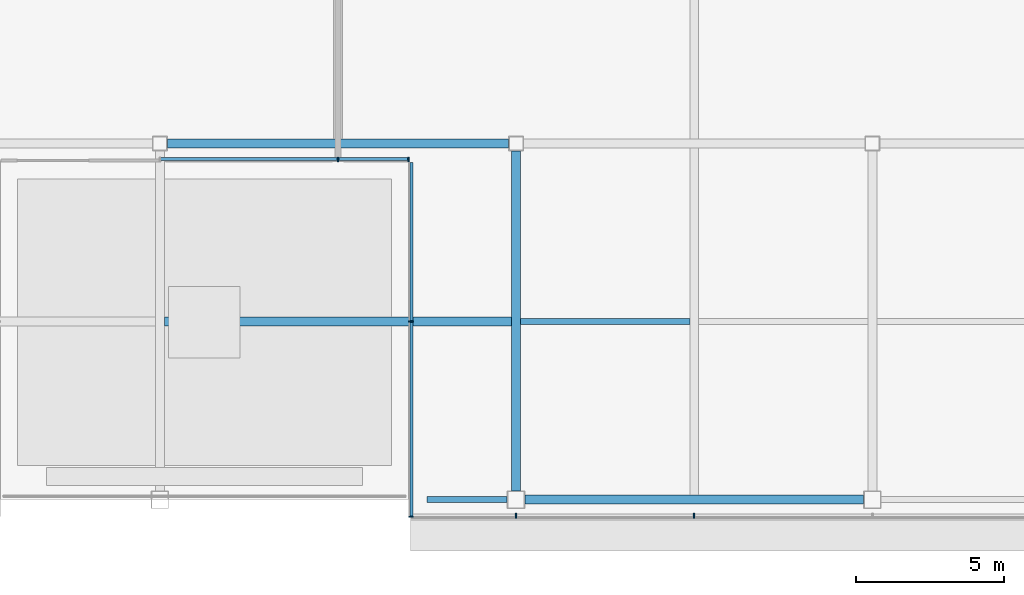
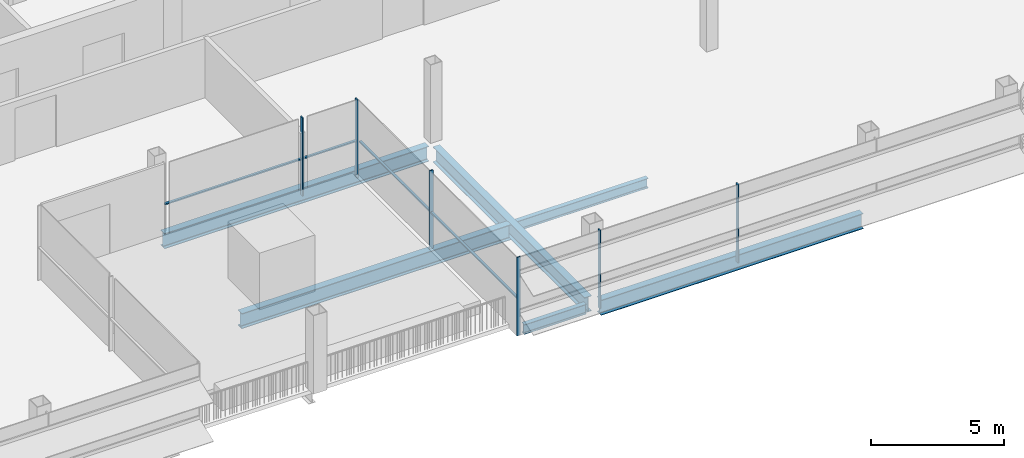
# One storey, part 9 of 27: 8 members, 6 beams, 3 elements without a shape of their own.
"""IFC4 building model written with IfcOpenShell, lengths in metres."""

from ifc_helpers import new_model, si_unit, direction, frame, origin, origin_2d, place, context, subcontext, project, spatial, rectangle, i_section, extrude, material, material_profile, profile_set, type_object, element, aggregate, save


model = new_model("IFC4")

# Units and contexts
model_context = context("Model", 3, precision=1e-05, world=origin(), true_north=direction((0.0, 1.0)))
body_context = subcontext(model_context, "Body", "Model", "MODEL_VIEW")
ifc_project = project(units=[si_unit("LENGTHUNIT", "METRE"), si_unit("AREAUNIT", "SQUARE_METRE"), si_unit("VOLUMEUNIT", "CUBIC_METRE"), si_unit("PLANEANGLEUNIT", "RADIAN"), si_unit("MASSUNIT", "GRAM", prefix="KILO")], contexts=[model_context])

# Site, building, storey
site_placement = place(None, origin())
site = spatial("IfcSite", under=ifc_project, at=site_placement, CompositionType="ELEMENT")
building_placement = place(site_placement, origin())
building = spatial("IfcBuilding", under=site, at=building_placement, Name="Sorahane Residences", CompositionType="ELEMENT")
storey_placement = place(building_placement, frame((0.0, 0.0, 298.0)))
storey = spatial("IfcBuildingStorey", under=building, at=storey_placement, Name="L70", CompositionType="ELEMENT", Elevation=298.0)

# Curtain wall, members
ifc_material_1 = material(Name="Dark low-e glass and black anodised aluminium", Category="aluminium")
curtain_wall_type = type_object("IfcCurtainWallType", Name="Curtain wall CW-1 Typical unitised wall", PredefinedType="NOTDEFINED", material=ifc_material_1)
curtain_wall_1_placement = place(storey_placement, origin())
curtain_wall_1 = element("IfcCurtainWall", 1, at=curtain_wall_1_placement, inside=storey, type_object=curtain_wall_type, Name="CW-1 curtain wall L70 S2", PredefinedType="NOTDEFINED")
ifc_material_2 = material(Name="Black anodised aluminium", Category="aluminium")
ifc_material_profile_1 = material_profile(ifc_material_2, rectangle(XDim=0.159912109375, YDim=0.050048828125, at=origin_2d()), Name="Curtain wall mullion CW-1 black anodised aluminium 50x160")
ifc_profile_set_1 = profile_set([ifc_material_profile_1], Name="Black anodised aluminium")
member_type_1 = type_object("IfcMemberType", Name="Curtain wall mullion CW-1 black anodised aluminium 50x160", PredefinedType="MULLION", material=ifc_profile_set_1)
member_1_placement = place(storey_placement, frame((18.0, 11.4599609375, -0.179931640625), z_axis=(0.0, 0.0, 1.0), x_axis=(0.0, -1.0, 0.0)))
member_1 = element("IfcMember", 2, at=member_1_placement, type_object=member_type_1, Name="CW-1 mullion L70 S2.3", PredefinedType="MULLION", context=body_context, shape_type="SweptSolid", body=[
    extrude(rectangle(XDim=0.159912109375, YDim=0.050048828125, at=origin_2d()), origin(), (0.0, 0.0, 1.0), 3.599853515625),
])
member_2_placement = place(storey_placement, frame((20.375, 11.4599609375, -0.179931640625), z_axis=(0.0, 0.0, 1.0), x_axis=(0.0, -1.0, 0.0)))
member_2 = element("IfcMember", 3, at=member_2_placement, type_object=member_type_1, Name="CW-1 mullion L70 S2.4", PredefinedType="MULLION", context=body_context, shape_type="SweptSolid", body=[
    extrude(rectangle(XDim=0.159912109375, YDim=0.050048828125, at=origin_2d()), origin(), (0.0, 0.0, 1.0), 3.599853515625),
])

curtain_wall_2_placement = place(storey_placement, origin())
curtain_wall_2 = element("IfcCurtainWall", 4, at=curtain_wall_2_placement, inside=storey, type_object=curtain_wall_type, Name="CW-1 curtain wall L70 W1", PredefinedType="NOTDEFINED")
member_3_placement = place(storey_placement, frame((20.4599609375, 6.0, -0.179931640625), z_axis=(0.0, 0.0, 1.0), x_axis=(-1.0, 0.0, 0.0)))
member_3 = element("IfcMember", 5, at=member_3_placement, type_object=member_type_1, Name="CW-1 mullion L70 W1.2", PredefinedType="MULLION", context=body_context, shape_type="SweptSolid", body=[
    extrude(rectangle(XDim=0.159912109375, YDim=0.050048828125, at=origin_2d()), origin(), (0.0, 0.0, 1.0), 3.599853515625),
])
member_4_placement = place(storey_placement, frame((20.4599609375, -0.574951171875, -0.179931640625), z_axis=(0.0, 0.0, 1.0), x_axis=(-1.0, 0.0, 0.0)))
member_4 = element("IfcMember", 6, at=member_4_placement, type_object=member_type_1, Name="CW-1 mullion L70 W1.3", PredefinedType="MULLION", context=body_context, shape_type="SweptSolid", body=[
    extrude(rectangle(XDim=0.159912109375, YDim=0.050048828125, at=origin_2d()), origin(), (0.0, 0.0, 1.0), 3.599853515625),
])

curtain_wall_3_placement = place(storey_placement, origin())
curtain_wall_3 = element("IfcCurtainWall", 7, at=curtain_wall_3_placement, inside=storey, type_object=curtain_wall_type, Name="CW-1 curtain wall L70 S3", PredefinedType="NOTDEFINED")
member_5_placement = place(storey_placement, frame((24.0, -0.5400390625, -0.179931640625), z_axis=(0.0, 0.0, 1.0), x_axis=(0.0, -1.0, 0.0)))
member_5 = element("IfcMember", 8, at=member_5_placement, type_object=member_type_1, Name="CW-1 mullion L70 S3.2", PredefinedType="MULLION", context=body_context, shape_type="SweptSolid", body=[
    extrude(rectangle(XDim=0.159912109375, YDim=0.050048828125, at=origin_2d()), origin(), (0.0, 0.0, 1.0), 3.599853515625),
])
member_6_placement = place(storey_placement, frame((30.0, -0.5400390625, -0.179931640625), z_axis=(0.0, 0.0, 1.0), x_axis=(0.0, -1.0, 0.0)))
member_6 = element("IfcMember", 9, at=member_6_placement, type_object=member_type_1, Name="CW-1 mullion L70 S3.3", PredefinedType="MULLION", context=body_context, shape_type="SweptSolid", body=[
    extrude(rectangle(XDim=0.159912109375, YDim=0.050048828125, at=origin_2d()), origin(), (0.0, 0.0, 1.0), 3.599853515625),
])
aggregate(curtain_wall_3, [member_5, member_6])

# Member
ifc_material_3 = material(Name="Black anodised aluminium", Category="aluminium")
ifc_material_profile_2 = material_profile(ifc_material_3, rectangle(XDim=0.10009765625, YDim=0.06005859375, at=origin_2d()), Name="Curtain wall transom CW-1 black anodised aluminium 60x100")
ifc_profile_set_2 = profile_set([ifc_material_profile_2], Name="Black anodised aluminium")
member_type_2 = type_object("IfcMemberType", Name="Curtain wall transom CW-1 black anodised aluminium 60x100", PredefinedType="USERDEFINED", material=ifc_profile_set_2)
member_7_placement = place(storey_placement, frame((12.02490234375, 11.469970703125, 1.5), z_axis=(1.0, 0.0, 0.0), x_axis=(0.0, 1.0, 0.0)))
member_7 = element("IfcMember", 10, at=member_7_placement, type_object=member_type_2, Name="CW-1 transom L70 S2", ObjectType="TRANSOM", PredefinedType="USERDEFINED", context=body_context, shape_type="SweptSolid", body=[
    extrude(rectangle(XDim=0.10009765625, YDim=0.06005859375, at=origin_2d()), origin(), (0.0, 0.0, 1.0), 8.3251953125),
])

aggregate(curtain_wall_1, [member_1, member_2, member_7])

member_8_placement = place(storey_placement, frame((20.469970703125, 11.35009765625, 1.5), z_axis=(0.0, -1.0, 0.0), x_axis=(1.0, 0.0, 0.0)))
member_8 = element("IfcMember", 11, at=member_8_placement, type_object=member_type_2, Name="CW-1 transom L70 W1", ObjectType="TRANSOM", PredefinedType="USERDEFINED", context=body_context, shape_type="SweptSolid", body=[
    extrude(rectangle(XDim=0.10009765625, YDim=0.06005859375, at=origin_2d()), origin(), (0.0, 0.0, 1.0), 11.900146484375),
])

aggregate(curtain_wall_2, [member_3, member_4, member_8])

# Beams
ifc_material_4 = material(Name="Steel Q355B", Category="steel")
ifc_material_profile_3 = material_profile(ifc_material_4, i_section(OverallWidth=0.199951171875, OverallDepth=0.449951171875, WebThickness=0.009033203125, FlangeThickness=0.013916015625, FilletRadius=0.02001953125, at=origin_2d()), Name="HN 450x200x9x14")
ifc_profile_set_3 = profile_set([ifc_material_profile_3], Name="Steel Q355B")
beam_type_1 = type_object("IfcBeamType", Name="Steel floor beam HN 450x200x9x14 Q355B", PredefinedType="BEAM", material=ifc_profile_set_3)
beam_1_placement = place(storey_placement, frame((21.0, 0.0, -0.405029296875), z_axis=(1.0, 0.0, 0.0), x_axis=(0.0, 1.0, 0.0)))
element("IfcBeam", 12, at=beam_1_placement, inside=storey, type_object=beam_type_1, Name="Beam L70 004", PredefinedType="BEAM", context=body_context, shape_type="SweptSolid", body=[
    extrude(i_section(OverallWidth=0.199951171875, OverallDepth=0.449951171875, WebThickness=0.009033203125, FlangeThickness=0.013916015625, FilletRadius=0.02001953125, at=origin_2d()), origin(), (0.0, 0.0, 1.0), 2.699951171875),
])
beam_2_placement = place(storey_placement, frame((24.14990234375, 6.0, -0.405029296875), z_axis=(1.0, 0.0, 0.0), x_axis=(0.0, 1.0, 0.0)))
element("IfcBeam", 13, at=beam_2_placement, inside=storey, type_object=beam_type_1, Name="Beam L70 068", PredefinedType="BEAM", context=body_context, shape_type="SweptSolid", body=[
    extrude(i_section(OverallWidth=0.199951171875, OverallDepth=0.449951171875, WebThickness=0.009033203125, FlangeThickness=0.013916015625, FilletRadius=0.02001953125, at=origin_2d()), origin(), (0.0, 0.0, 1.0), 5.7001953125),
])
ifc_material_5 = material(Name="Steel Q355B", Category="steel")
ifc_material_profile_4 = material_profile(ifc_material_5, i_section(OverallWidth=0.300048828125, OverallDepth=0.699951171875, WebThickness=0.012939453125, FlangeThickness=0.02392578125, FilletRadius=0.028076171875, at=origin_2d()), Name="HN 700x300x13x24")
ifc_profile_set_4 = profile_set([ifc_material_profile_4], Name="Steel Q355B")
beam_type_2 = type_object("IfcBeamType", Name="Steel floor beam HN 700x300x13x24 Q355B", PredefinedType="BEAM", material=ifc_profile_set_4)
beam_3_placement = place(storey_placement, frame((24.300048828125, 0.0, -0.530029296875), z_axis=(1.0, 0.0, 0.0), x_axis=(0.0, 1.0, 0.0)))
element("IfcBeam", 14, at=beam_3_placement, inside=storey, type_object=beam_type_2, Name="Beam L70 002", PredefinedType="BEAM", context=body_context, shape_type="SweptSolid", body=[
    extrude(i_section(OverallWidth=0.300048828125, OverallDepth=0.699951171875, WebThickness=0.012939453125, FlangeThickness=0.02392578125, FilletRadius=0.028076171875, at=origin_2d()), origin(), (0.0, 0.0, 1.0), 11.39990234375),
])
beam_4_placement = place(storey_placement, frame((12.25, 12.0, -0.530029296875), z_axis=(1.0, 0.0, 0.0), x_axis=(0.0, 1.0, 0.0)))
element("IfcBeam", 15, at=beam_4_placement, inside=storey, type_object=beam_type_2, Name="Beam L70 008", PredefinedType="BEAM", context=body_context, shape_type="SweptSolid", body=[
    extrude(i_section(OverallWidth=0.300048828125, OverallDepth=0.699951171875, WebThickness=0.012939453125, FlangeThickness=0.02392578125, FilletRadius=0.028076171875, at=origin_2d()), origin(), (0.0, 0.0, 1.0), 11.5),
])
beam_5_placement = place(storey_placement, frame((24.0, 0.300048828125, -0.530029296875), z_axis=(0.0, 1.0, 0.0), x_axis=(-1.0, 0.0, 0.0)))
element("IfcBeam", 16, at=beam_5_placement, inside=storey, type_object=beam_type_2, Name="Beam L70 044", PredefinedType="BEAM", context=body_context, shape_type="SweptSolid", body=[
    extrude(i_section(OverallWidth=0.300048828125, OverallDepth=0.699951171875, WebThickness=0.012939453125, FlangeThickness=0.02392578125, FilletRadius=0.028076171875, at=origin_2d()), origin(), (0.0, 0.0, 1.0), 11.449951171875),
])
beam_6_placement = place(storey_placement, frame((12.14990234375, 6.0, -0.530029296875), z_axis=(1.0, 0.0, 0.0), x_axis=(0.0, 1.0, 0.0)))
element("IfcBeam", 17, at=beam_6_placement, inside=storey, type_object=beam_type_2, Name="Beam L70 067", PredefinedType="BEAM", context=body_context, shape_type="SweptSolid", body=[
    extrude(i_section(OverallWidth=0.300048828125, OverallDepth=0.699951171875, WebThickness=0.012939453125, FlangeThickness=0.02392578125, FilletRadius=0.028076171875, at=origin_2d()), origin(), (0.0, 0.0, 1.0), 11.7001953125),
])

save(model, "model.ifc")
